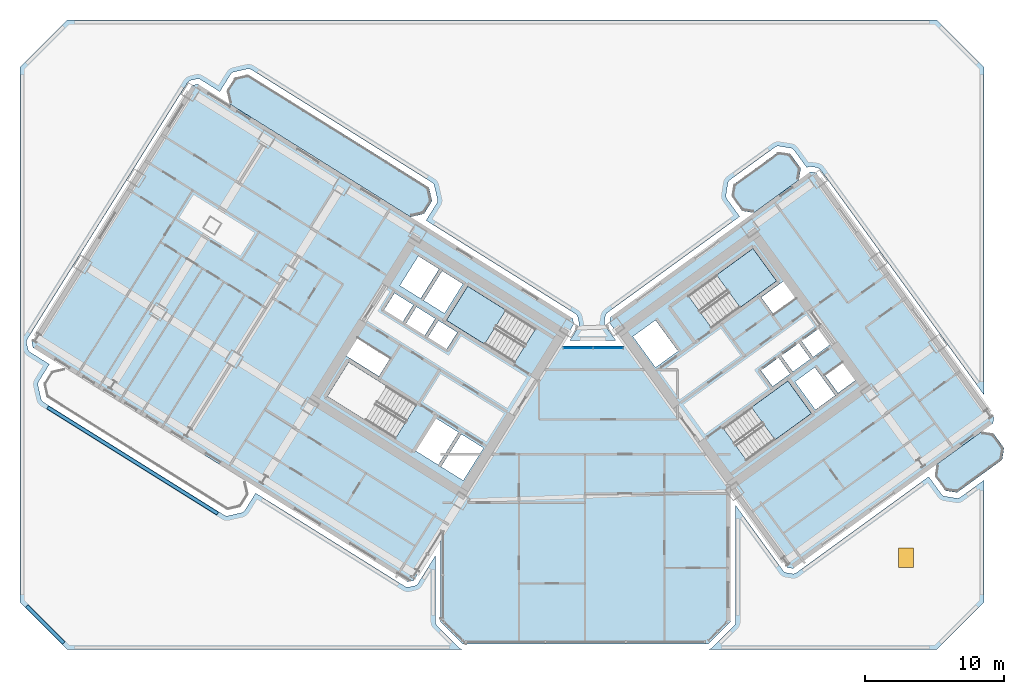
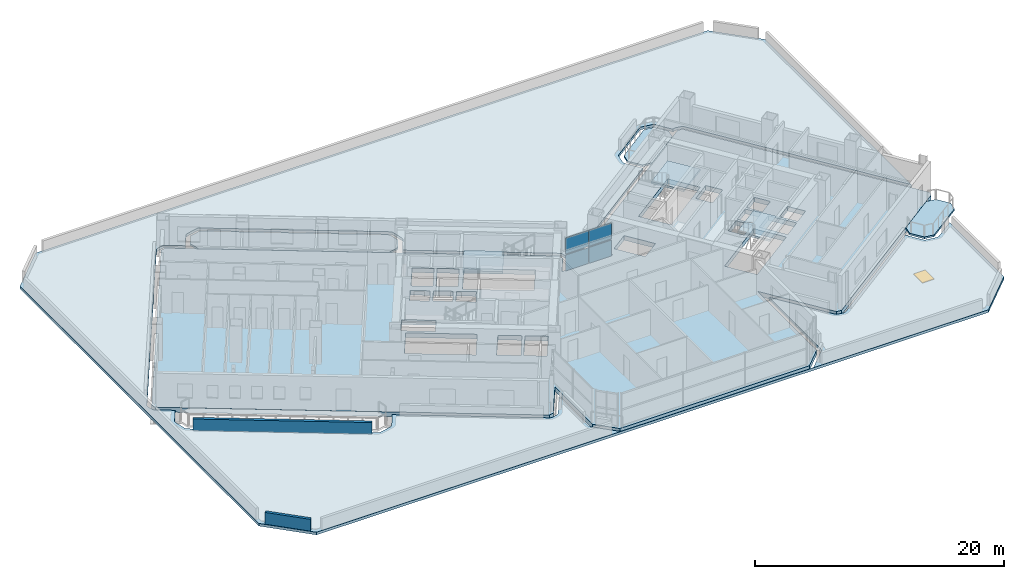
# One storey, part 14 of 28: 8 slabs, 4 plates, 2 walls, 1 door, 1 opening, 4 elements without a shape of their own.
"""IFC4 building model written with IfcOpenShell, lengths in metres."""

from ifc_helpers import new_model, si_unit, direction, frame, frame_2d, origin, origin_2d, place, context, subcontext, project, spatial, polyline, rectangle, outline, extrude, source, transform, mapped, material, layer, layer_set, type_object, element, fill, aggregate, save


model = new_model("IFC4")

# Units and contexts
model_context = context("Model", 3, precision=1e-05, world=origin(), true_north=direction((0.0, 1.0)))
body_context = subcontext(model_context, "Body", "Model", "MODEL_VIEW")
ifc_project = project(units=[si_unit("LENGTHUNIT", "METRE"), si_unit("AREAUNIT", "SQUARE_METRE"), si_unit("VOLUMEUNIT", "CUBIC_METRE"), si_unit("PLANEANGLEUNIT", "RADIAN"), si_unit("MASSUNIT", "GRAM", prefix="KILO")], contexts=[model_context])

# Site, building, storey
site_placement = place(None, origin())
site = spatial("IfcSite", under=ifc_project, at=site_placement, CompositionType="ELEMENT")
building_placement = place(site_placement, origin())
building = spatial("IfcBuilding", under=site, at=building_placement, Name="Tlacorven Tower", CompositionType="ELEMENT")
storey_placement = place(building_placement, frame((0.0, 0.0, 24.0)))
storey = spatial("IfcBuildingStorey", under=building, at=storey_placement, Name="L05", CompositionType="ELEMENT", Elevation=24.0)

# Slabs
ifc_material_1 = material(Name="Precast concrete C45/55", Category="concrete")
ifc_layer_1 = layer(ifc_material_1, 0.179931640625)
ifc_layer_set_1 = layer_set([ifc_layer_1], Name="Precast concrete C45/55")
slab_type_1 = type_object("IfcSlabType", Name="SL-BAL-180", PredefinedType="USERDEFINED", material=ifc_layer_set_1)
slab_1_placement = place(storey_placement, frame((0.0, 0.0, -0.179931640625)))
element("IfcSlab", 1, at=slab_1_placement, inside=storey, type_object=slab_type_1, Name="L05 West Wing Balcony Ribbon IN", ObjectType="BALCONY SLAB", PredefinedType="USERDEFINED", context=body_context, shape_type="SweptSolid", body=[
    extrude(outline(polyline([(30.756591796875, 34.57763671875), (17.781494140625, 42.685546875), (16.81689453125, 42.462890625), (16.236572265625, 41.5341796875), (16.459228515625, 40.569580078125), (29.434326171875, 32.4619140625), (30.39892578125, 32.6845703125), (30.979248046875, 33.613037109375), (30.756591796875, 34.57763671875)])), origin(), (0.0, 0.0, 1.0), 0.179931640625),
])
slab_2_placement = place(storey_placement, frame((0.0, 0.0, -0.179931640625)))
element("IfcSlab", 2, at=slab_2_placement, inside=storey, type_object=slab_type_1, Name="L05 East Wing Balcony Ribbon OUT", ObjectType="BALCONY SLAB", PredefinedType="USERDEFINED", context=body_context, shape_type="SweptSolid", body=[
    extrude(outline(polyline([(68.669921875, 12.678955078125), (71.906005859375, 15.0302734375), (72.03857421875, 15.8681640625), (71.27734375, 16.916015625), (70.439453125, 17.048583984375), (67.203369140625, 14.697509765625), (67.070556640625, 13.859375), (67.831787109375, 12.811767578125), (68.669921875, 12.678955078125)])), origin(), (0.0, 0.0, 1.0), 0.179931640625),
])
slab_3_placement = place(storey_placement, frame((0.0, 0.0, -0.179931640625)))
element("IfcSlab", 3, at=slab_3_placement, inside=storey, type_object=slab_type_1, Name="L05 East Wing Balcony Ribbon IN", ObjectType="BALCONY SLAB", PredefinedType="USERDEFINED", context=body_context, shape_type="SweptSolid", body=[
    extrude(outline(polyline([(54.078125, 32.762939453125), (57.314208984375, 35.114013671875), (57.44677734375, 35.9521484375), (56.685791015625, 36.999755859375), (55.84765625, 37.132568359375), (52.611572265625, 34.78125), (52.478759765625, 33.943359375), (53.239990234375, 32.8955078125), (54.078125, 32.762939453125)])), origin(), (0.0, 0.0, 1.0), 0.179931640625),
])

# Stair, slab
ifc_material_2 = material(Name="Concrete C40/50", Category="concrete")
stair_type = type_object("IfcStairType", Name="ST-CORE-DLG", PredefinedType="HALF_TURN_STAIR", material=ifc_material_2)
stair_1_placement = place(storey_placement, origin())
stair_1 = element("IfcStair", 4, at=stair_1_placement, inside=storey, type_object=stair_type, Name="L05 Protected Exit Stair West 2", PredefinedType="HALF_TURN_STAIR")
ifc_layer_2 = layer(ifc_material_2, 0.199951171875)
ifc_layer_set_2 = layer_set([ifc_layer_2], Name="Concrete C40/50")
slab_type_2 = type_object("IfcSlabType", Name="SL-LND-200", PredefinedType="LANDING", material=ifc_layer_set_2)
slab_4_placement = place(storey_placement, frame((0.0, 0.0, 1.60009765625)))
slab_4 = element("IfcSlab", 5, at=slab_4_placement, type_object=slab_type_2, Name="ST-W2 landing 1", PredefinedType="LANDING", context=body_context, shape_type="SweptSolid", body=[
    extrude(outline(polyline([(36.280029296875, 25.772705078125), (33.540771484375, 27.484375), (32.0146484375, 25.0419921875), (34.75390625, 23.33056640625), (36.280029296875, 25.772705078125)])), origin(), (0.0, 0.0, 1.0), 0.199951171875),
])
aggregate(stair_1, [slab_4])

stair_2_placement = place(storey_placement, origin())
stair_2 = element("IfcStair", 6, at=stair_2_placement, inside=storey, type_object=stair_type, Name="L05 Protected Exit Stair East 1", PredefinedType="HALF_TURN_STAIR")
slab_5_placement = place(storey_placement, frame((0.0, 0.0, 1.60009765625)))
slab_5 = element("IfcSlab", 7, at=slab_5_placement, type_object=slab_type_2, Name="ST-E1 landing 1", PredefinedType="LANDING", context=body_context, shape_type="SweptSolid", body=[
    extrude(outline(polyline([(53.09765625, 25.962890625), (55.7109375, 27.861572265625), (54.01806640625, 30.19140625), (51.40478515625, 28.29296875), (53.09765625, 25.962890625)])), origin(), (0.0, 0.0, 1.0), 0.199951171875),
])
aggregate(stair_2, [slab_5])

stair_3_placement = place(storey_placement, origin())
stair_3 = element("IfcStair", 8, at=stair_3_placement, inside=storey, type_object=stair_type, Name="L05 Protected Exit Stair East 2", PredefinedType="HALF_TURN_STAIR")
slab_6_placement = place(storey_placement, frame((0.0, 0.0, 1.60009765625)))
slab_6 = element("IfcSlab", 9, at=slab_6_placement, type_object=slab_type_2, Name="ST-E2 landing 1", PredefinedType="LANDING", context=body_context, shape_type="SweptSolid", body=[
    extrude(outline(polyline([(55.601806640625, 16.4599609375), (58.21484375, 18.3583984375), (56.52197265625, 20.6884765625), (53.908935546875, 18.789794921875), (55.601806640625, 16.4599609375)])), origin(), (0.0, 0.0, 1.0), 0.199951171875),
])
aggregate(stair_3, [slab_6])

# Slab, opening, door
ifc_layer_3 = layer(ifc_material_2, 0.260009765625)
ifc_layer_set_3 = layer_set([ifc_layer_3], Name="Concrete C40/50")
slab_type_3 = type_object("IfcSlabType", Name="SL-ROF-260", PredefinedType="ROOF", material=ifc_layer_set_3)
slab_7_placement = place(storey_placement, frame((0.0, 0.0, -0.260009765625)))
slab_7 = element("IfcSlab", 10, at=slab_7_placement, inside=storey, type_object=slab_type_3, Name="L05 Podium Setback Roof Slab 1", PredefinedType="ROOF", context=body_context, shape_type="SweptSolid", body=[
    extrude(outline(polyline([(70.60009765625, 4.800048828125), (67.199951171875, 1.39990234375), (4.800048828125, 1.39990234375), (1.39990234375, 4.800048828125), (1.39990234375, 43.199951171875), (4.800048828125, 46.60009765625), (67.199951171875, 46.60009765625), (70.60009765625, 43.199951171875), (70.60009765625, 19.685791015625), (58.8525390625, 35.854736328125), (58.8291015625, 35.8837890625), (58.802978515625, 35.910400390625), (58.7744140625, 35.934326171875), (58.74365234375, 35.955322265625), (58.7109375, 35.973388671875), (58.6767578125, 35.98779296875), (58.64111328125, 35.9990234375), (58.6044921875, 36.006591796875), (58.185546875, 36.072998046875), (58.1484375, 36.0771484375), (58.111083984375, 36.077392578125), (58.073974609375, 36.07421875), (58.037353515625, 36.067138671875), (58.00146484375, 36.056884765625), (57.967041015625, 36.04296875), (57.933837890625, 36.025634765625), (57.90283203125, 36.005126953125), (57.886474609375, 35.993408203125), (56.969482421875, 37.25537109375), (56.9462890625, 37.28466796875), (56.920166015625, 37.311279296875), (56.8916015625, 37.335205078125), (56.860595703125, 37.356201171875), (56.827880859375, 37.3740234375), (56.793701171875, 37.388671875), (56.758056640625, 37.39990234375), (56.7216796875, 37.407470703125), (55.883544921875, 37.540283203125), (55.846435546875, 37.544189453125), (55.80908203125, 37.544677734375), (55.77197265625, 37.541259765625), (55.7353515625, 37.534423828125), (55.699462890625, 37.52392578125), (55.6650390625, 37.510009765625), (55.6318359375, 37.49267578125), (55.600830078125, 37.472412109375), (52.36474609375, 35.12109375), (52.335693359375, 35.097900390625), (52.30908203125, 35.07177734375), (52.284912109375, 35.04296875), (52.263916015625, 35.01220703125), (52.24609375, 34.9794921875), (52.2314453125, 34.9453125), (52.22021484375, 34.90966796875), (52.212646484375, 34.873291015625), (52.079833984375, 34.03515625), (52.075927734375, 33.998046875), (52.07568359375, 33.960693359375), (52.078857421875, 33.923583984375), (52.085693359375, 33.886962890625), (52.09619140625, 33.85107421875), (52.110107421875, 33.816650390625), (52.12744140625, 33.783447265625), (52.14794921875, 33.752197265625), (53.064697265625, 32.490234375), (43.56689453125, 25.589599609375), (43.537841796875, 25.566162109375), (43.51123046875, 25.5400390625), (43.4873046875, 25.511474609375), (43.46630859375, 25.480712890625), (43.448486328125, 25.447998046875), (43.433837890625, 25.413818359375), (43.422607421875, 25.378173828125), (43.4150390625, 25.341552734375), (43.3486328125, 24.922607421875), (43.344482421875, 24.885498046875), (43.34423828125, 24.84814453125), (43.347412109375, 24.81103515625), (43.3544921875, 24.7744140625), (43.364990234375, 24.73876953125), (43.37890625, 24.7041015625), (43.39599609375, 24.6708984375), (43.41650390625, 24.639892578125), (44.1865234375, 23.580078125), (40.864501953125, 23.580078125), (41.484619140625, 24.572265625), (41.5029296875, 24.60498046875), (41.517822265625, 24.63916015625), (41.529296875, 24.674560546875), (41.537109375, 24.7109375), (41.54150390625, 24.748046875), (41.542236328125, 24.785400390625), (41.539306640625, 24.822509765625), (41.53271484375, 24.859130859375), (41.437255859375, 25.2724609375), (41.427001953125, 25.308349609375), (41.413330078125, 25.34326171875), (41.396484375, 25.37646484375), (41.376220703125, 25.40771484375), (41.353271484375, 25.43701171875), (41.327392578125, 25.4638671875), (41.299072265625, 25.488037109375), (41.268310546875, 25.50927734375), (30.549072265625, 32.20751953125), (31.32275390625, 33.44580078125), (31.3408203125, 33.478271484375), (31.355712890625, 33.512451171875), (31.3671875, 33.5478515625), (31.375244140625, 33.584228515625), (31.379638671875, 33.621337890625), (31.38037109375, 33.65869140625), (31.377197265625, 33.69580078125), (31.37060546875, 33.732421875), (31.14794921875, 34.697021484375), (31.137939453125, 34.73291015625), (31.124267578125, 34.767578125), (31.107177734375, 34.801025390625), (31.087158203125, 34.832275390625), (31.06396484375, 34.861572265625), (31.0380859375, 34.888427734375), (31.009765625, 34.91259765625), (30.97900390625, 34.933837890625), (18.00390625, 43.041748046875), (17.971435546875, 43.059814453125), (17.937255859375, 43.07470703125), (17.90185546875, 43.086181640625), (17.865234375, 43.09423828125), (17.828369140625, 43.0986328125), (17.791015625, 43.09912109375), (17.75390625, 43.09619140625), (17.717041015625, 43.089599609375), (16.75244140625, 42.866943359375), (16.716552734375, 42.856689453125), (16.681884765625, 42.84326171875), (16.648681640625, 42.826171875), (16.617431640625, 42.80615234375), (16.588134765625, 42.782958984375), (16.561279296875, 42.757080078125), (16.537109375, 42.728759765625), (16.515869140625, 42.697998046875), (15.7421875, 41.4599609375), (14.3681640625, 42.318359375), (14.335693359375, 42.336669921875), (14.301513671875, 42.3515625), (14.26611328125, 42.363037109375), (14.2294921875, 42.370849609375), (14.192626953125, 42.375244140625), (14.1552734375, 42.3759765625), (14.1181640625, 42.373046875), (14.081298828125, 42.366455078125), (13.66796875, 42.27099609375), (13.632080078125, 42.2607421875), (13.597412109375, 42.2470703125), (13.564208984375, 42.230224609375), (13.53271484375, 42.2099609375), (13.503662109375, 42.18701171875), (13.476806640625, 42.1611328125), (13.45263671875, 42.132568359375), (13.43115234375, 42.10205078125), (1.92138671875, 23.682373046875), (1.9033203125, 23.64990234375), (1.88818359375, 23.61572265625), (1.876708984375, 23.580322265625), (1.868896484375, 23.543701171875), (1.864501953125, 23.5068359375), (1.86376953125, 23.469482421875), (1.86669921875, 23.432373046875), (1.873291015625, 23.3955078125), (1.96875, 22.982177734375), (1.97900390625, 22.9462890625), (1.99267578125, 22.91162109375), (2.009521484375, 22.87841796875), (2.02978515625, 22.846923828125), (2.052734375, 22.81787109375), (2.07861328125, 22.791015625), (2.107177734375, 22.766845703125), (2.1376953125, 22.745361328125), (3.511474609375, 21.886962890625), (2.73779296875, 20.64892578125), (2.7197265625, 20.6162109375), (2.704833984375, 20.58203125), (2.693359375, 20.546630859375), (2.685302734375, 20.51025390625), (2.680908203125, 20.47314453125), (2.680419921875, 20.435791015625), (2.683349609375, 20.398681640625), (2.68994140625, 20.362060546875), (2.91259765625, 19.3974609375), (2.922607421875, 19.361572265625), (2.936279296875, 19.326904296875), (2.953369140625, 19.293701171875), (2.973388671875, 19.26220703125), (2.99658203125, 19.23291015625), (3.0224609375, 19.2060546875), (3.05078125, 19.181884765625), (3.08154296875, 19.16064453125), (16.056640625, 11.052734375), (16.089111328125, 11.03466796875), (16.123291015625, 11.019775390625), (16.15869140625, 11.00830078125), (16.1953125, 11.000244140625), (16.232177734375, 10.99609375), (16.26953125, 10.995361328125), (16.306640625, 10.998291015625), (16.343505859375, 11.0048828125), (17.30810546875, 11.2275390625), (17.343994140625, 11.23779296875), (17.378662109375, 11.251220703125), (17.411865234375, 11.268310546875), (17.443115234375, 11.288330078125), (17.472412109375, 11.3115234375), (17.499267578125, 11.33740234375), (17.5234375, 11.36572265625), (17.544677734375, 11.396484375), (18.318359375, 12.634521484375), (29.037841796875, 5.936279296875), (29.0703125, 5.918212890625), (29.1044921875, 5.9033203125), (29.14013671875, 5.891845703125), (29.176513671875, 5.8837890625), (29.21337890625, 5.879638671875), (29.250732421875, 5.87890625), (29.287841796875, 5.8818359375), (29.32470703125, 5.888427734375), (29.738037109375, 5.98388671875), (29.77392578125, 5.993896484375), (29.80859375, 6.007568359375), (29.841796875, 6.024658203125), (29.873291015625, 6.044677734375), (29.902587890625, 6.06787109375), (29.929443359375, 6.09375), (29.95361328125, 6.1220703125), (29.974853515625, 6.15283203125), (31.219970703125, 8.1455078125), (31.219970703125, 3.39990234375), (31.221923828125, 3.36279296875), (31.227294921875, 3.325927734375), (31.236328125, 3.289794921875), (31.2490234375, 3.254638671875), (31.264892578125, 3.220947265625), (31.283935546875, 3.18896484375), (31.30615234375, 3.158935546875), (31.331298828125, 3.13134765625), (32.931396484375, 1.53125), (32.958984375, 1.50634765625), (32.98876953125, 1.484130859375), (33.020751953125, 1.46484375), (33.0546875, 1.448974609375), (33.089599609375, 1.436279296875), (33.1259765625, 1.42724609375), (33.162841796875, 1.421875), (33.199951171875, 1.419921875), (50.800048828125, 1.419921875), (50.837158203125, 1.421875), (50.8740234375, 1.42724609375), (50.910400390625, 1.436279296875), (50.9453125, 1.448974609375), (50.979248046875, 1.46484375), (51.01123046875, 1.484130859375), (51.041015625, 1.50634765625), (51.068603515625, 1.53125), (52.668701171875, 3.13134765625), (52.69384765625, 3.158935546875), (52.716064453125, 3.18896484375), (52.735107421875, 3.220947265625), (52.7509765625, 3.254638671875), (52.763671875, 3.289794921875), (52.772705078125, 3.325927734375), (52.778076171875, 3.36279296875), (52.780029296875, 3.39990234375), (52.780029296875, 11.751953125), (56.18310546875, 7.06787109375), (56.20654296875, 7.038818359375), (56.232666015625, 7.01220703125), (56.26123046875, 6.98828125), (56.2919921875, 6.96728515625), (56.32470703125, 6.949462890625), (56.359130859375, 6.934814453125), (56.394775390625, 6.923583984375), (56.43115234375, 6.916015625), (56.85009765625, 6.849609375), (56.88720703125, 6.845703125), (56.924560546875, 6.84521484375), (56.961669921875, 6.8486328125), (56.998291015625, 6.85546875), (57.0341796875, 6.865966796875), (57.06884765625, 6.8798828125), (57.101806640625, 6.897216796875), (57.133056640625, 6.91748046875), (66.630859375, 13.818115234375), (67.5478515625, 12.55615234375), (67.5712890625, 12.527099609375), (67.597412109375, 12.500244140625), (67.6259765625, 12.476318359375), (67.65673828125, 12.455322265625), (67.689453125, 12.4375), (67.7236328125, 12.4228515625), (67.75927734375, 12.41162109375), (67.7958984375, 12.404052734375), (68.6337890625, 12.271240234375), (68.6708984375, 12.267333984375), (68.708251953125, 12.266845703125), (68.745361328125, 12.270263671875), (68.781982421875, 12.277099609375), (68.81787109375, 12.28759765625), (68.8525390625, 12.301513671875), (68.885498046875, 12.31884765625), (68.916748046875, 12.33935546875), (70.60009765625, 13.562255859375), (70.60009765625, 4.800048828125)])), origin(), (0.0, 0.0, 1.0), 0.260009765625),
])
opening_placement = place(slab_7_placement, frame((65.0, 8.0, 0.0)))
opening = element("IfcOpeningElement", 11, at=opening_placement, cuts=slab_7, Name="Opening RH01", PredefinedType="OPENING", context=body_context, shape_type="SweptSolid", body=[
    extrude(rectangle(XDim=1.10009765625, YDim=1.39990234375, at=origin_2d()), frame((0.0, 0.0, -0.010009765625)), (0.0, 0.0, 1.0), 0.35009765625),
])
ifc_material_3 = material(Name="Fire-rated steel door assembly", Category="steel")
door_type = type_object("IfcDoorType", Name="DR-ROF-HTCH-1100", OperationType="SINGLE_SWING_LEFT", PredefinedType="TRAPDOOR", material=ifc_material_3)
door_placement = place(opening_placement, frame((0.0, 0.0, 0.260009765625)))
door = element("IfcDoor", 12, at=door_placement, inside=storey, type_object=door_type, Name="L05 Podium Roof Maintenance Access Hatch 1", OperationType="SINGLE_SWING_LEFT", OverallHeight=1.39990234375, OverallWidth=1.10009765625, PredefinedType="TRAPDOOR", context=body_context, shape_type="SweptSolid", body=[
    extrude(rectangle(XDim=1.10009765625, YDim=1.39990234375, at=origin_2d()), origin(), (0.0, 0.0, 1.0), 0.050048828125),
])
fill(opening, door)

# Slab
ifc_material_4 = material(Name="Concrete C50/60", Category="concrete")
ifc_layer_4 = layer(ifc_material_4, 0.449951171875)
ifc_layer_set_4 = layer_set([ifc_layer_4], Name="Concrete C50/60")
slab_type_4 = type_object("IfcSlabType", Name="SL-TRF-450", PredefinedType="FLOOR", material=ifc_layer_set_4)
slab_8_placement = place(storey_placement, frame((0.0, 0.0, -0.449951171875)))
element("IfcSlab", 13, at=slab_8_placement, inside=storey, type_object=slab_type_4, Name="L05 Boomerang Tower Floor Slab", PredefinedType="FLOOR", context=body_context, shape_type="SweptSolid", body=[
    extrude(outline(polyline([(52.39990234375, 3.39990234375), (50.800048828125, 1.800048828125), (33.199951171875, 1.800048828125), (31.60009765625, 3.39990234375), (31.60009765625, 9.470703125), (29.652587890625, 6.35400390625), (29.2392578125, 6.258544921875), (2.339111328125, 23.067626953125), (2.24365234375, 23.481201171875), (13.75341796875, 41.900634765625), (14.1669921875, 41.99609375), (41.06689453125, 25.18701171875), (41.162353515625, 24.773681640625), (40.178955078125, 23.199951171875), (44.932373046875, 23.199951171875), (43.723876953125, 24.86328125), (43.790283203125, 25.2822265625), (58.1259765625, 35.69775390625), (58.545166015625, 35.63134765625), (71.311767578125, 18.0595703125), (71.245361328125, 17.640380859375), (56.90966796875, 7.224853515625), (56.49072265625, 7.291259765625), (52.39990234375, 12.921630859375), (52.39990234375, 3.39990234375)]), holes=[polyline([(29.865478515625, 18.979736328125), (24.9892578125, 22.02685546875), (23.463134765625, 19.58447265625), (28.33935546875, 16.537353515625), (29.865478515625, 18.979736328125)]), polyline([(38.4169921875, 24.4375), (33.540771484375, 27.484375), (32.0146484375, 25.0419921875), (36.890869140625, 21.9951171875), (38.4169921875, 24.4375)]), polyline([(51.05908203125, 24.481689453125), (55.7109375, 27.861572265625), (54.01806640625, 30.19140625), (49.3662109375, 26.811767578125), (51.05908203125, 24.481689453125)]), polyline([(53.56298828125, 14.978759765625), (58.21484375, 18.3583984375), (56.52197265625, 20.6884765625), (51.8701171875, 17.30859375), (53.56298828125, 14.978759765625)]), polyline([(34.682373046875, 15.87548828125), (33.088134765625, 16.871826171875), (31.62548828125, 14.531005859375), (33.2197265625, 13.534912109375), (34.682373046875, 15.87548828125)]), polyline([(32.884521484375, 16.9990234375), (31.2392578125, 18.02685546875), (29.77685546875, 15.686279296875), (31.421875, 14.658203125), (32.884521484375, 16.9990234375)]), polyline([(47.0234375, 21.648681640625), (48.6416015625, 22.82421875), (47.019287109375, 25.05712890625), (45.401123046875, 23.881591796875), (47.0234375, 21.648681640625)]), polyline([(33.197265625, 27.65185546875), (31.704833984375, 28.58447265625), (30.3798828125, 26.46435546875), (31.87255859375, 25.53173828125), (33.197265625, 27.65185546875)]), polyline([(31.484375, 28.722412109375), (29.99169921875, 29.655029296875), (28.6669921875, 27.534912109375), (30.159423828125, 26.602294921875), (31.484375, 28.722412109375)]), polyline([(32.794921875, 24.17724609375), (31.43798828125, 25.025146484375), (30.685546875, 23.82080078125), (32.042236328125, 22.972900390625), (32.794921875, 24.17724609375)]), polyline([(31.217529296875, 25.162841796875), (29.860595703125, 26.0107421875), (29.108154296875, 24.806396484375), (30.465087890625, 23.958740234375), (31.217529296875, 25.162841796875)]), polyline([(29.64013671875, 26.1484375), (28.283203125, 26.996337890625), (27.53076171875, 25.792236328125), (28.8876953125, 24.9443359375), (29.64013671875, 26.1484375)]), polyline([(55.427734375, 20.288818359375), (56.68994140625, 21.205810546875), (55.855224609375, 22.354736328125), (54.59326171875, 21.437744140625), (55.427734375, 20.288818359375)]), polyline([(56.884033203125, 21.346923828125), (58.146240234375, 22.263916015625), (57.3115234375, 23.41259765625), (56.04931640625, 22.495849609375), (56.884033203125, 21.346923828125)]), polyline([(58.34033203125, 22.405029296875), (59.602294921875, 23.322021484375), (58.767578125, 24.470703125), (57.505615234375, 23.5537109375), (58.34033203125, 22.405029296875)]), polyline([(58.498779296875, 18.614013671875), (59.922607421875, 19.648681640625), (58.453125, 21.671142578125), (57.029296875, 20.63671875), (58.498779296875, 18.614013671875)]), polyline([(27.96142578125, 22.2919921875), (25.603759765625, 23.76513671875), (24.80908203125, 22.4931640625), (27.16650390625, 21.02001953125), (27.96142578125, 22.2919921875)]), polyline([(55.490478515625, 25.4765625), (57.092529296875, 26.640380859375), (56.210693359375, 27.85400390625), (54.60888671875, 26.690185546875), (55.490478515625, 25.4765625)]), polyline([(60.12109375, 19.817626953125), (61.38330078125, 20.734619140625), (60.45458984375, 22.012939453125), (59.192626953125, 21.095947265625), (60.12109375, 19.817626953125)])]), origin(), (0.0, 0.0, 1.0), 0.449951171875),
])

# Curtain wall, plates
ifc_material_5 = material(Name="Dark solar low-E double glazing in aluminium frame", Category="aluminium")
curtain_wall_type = type_object("IfcCurtainWallType", Name="CW-TWR-LOW", PredefinedType="USERDEFINED", material=ifc_material_5)
curtain_wall_placement = place(storey_placement, origin())
curtain_wall = element("IfcCurtainWall", 14, at=curtain_wall_placement, inside=storey, type_object=curtain_wall_type, Name="L05 CW-TWR-LOW Curtain Wall 26", ObjectType="UNITISED CURTAIN WALL", PredefinedType="USERDEFINED")
ifc_material_6 = material(Name="Dark solar double low-E glazing", Category="glass")
ifc_layer_5 = layer(ifc_material_6, 0.031982421875)
ifc_layer_set_5 = layer_set([ifc_layer_5], Name="Dark solar double low-E glazing")
plate_type = type_object("IfcPlateType", Name="CWP-02", PredefinedType="CURTAIN_PANEL", material=ifc_layer_set_5)
shared_shape = source(origin(), body_context, "Body", "SweptSolid", [
    extrude(rectangle(XDim=2.110595703125, YDim=0.031982421875, at=origin_2d()), origin(), (0.0, 0.0, 1.0), 1.552978515625),
])
plate_1_placement = place(storey_placement, frame((41.47802734375, 23.0400390625, 0.06103515625), z_axis=(0.0, 0.0, 1.0), x_axis=(1.0, 0.0, 0.0)))
plate_1 = element("IfcPlate", 15, at=plate_1_placement, type_object=plate_type, Name="CW-L05-026 Glazing Panel 1", PredefinedType="CURTAIN_PANEL", context=body_context, shape_type="MappedRepresentation", body=[
    mapped(shared_shape, transform((0.0, 0.0, 0.0), scale=1.0)),
])
plate_2_placement = place(storey_placement, frame((41.47802734375, 23.0400390625, 1.73583984375), z_axis=(0.0, 0.0, 1.0), x_axis=(1.0, 0.0, 0.0)))
plate_2 = element("IfcPlate", 16, at=plate_2_placement, type_object=plate_type, Name="CW-L05-026 Glazing Panel 2", PredefinedType="CURTAIN_PANEL", context=body_context, shape_type="MappedRepresentation", body=[
    mapped(shared_shape, transform((0.0, 0.0, 0.0), scale=1.0)),
])
plate_3_placement = place(storey_placement, frame((43.640625, 23.0400390625, 0.06103515625), z_axis=(0.0, 0.0, 1.0), x_axis=(1.0, 0.0, 0.0)))
plate_3 = element("IfcPlate", 17, at=plate_3_placement, type_object=plate_type, Name="CW-L05-026 Glazing Panel 3", PredefinedType="CURTAIN_PANEL", context=body_context, shape_type="MappedRepresentation", body=[
    mapped(shared_shape, transform((0.0, 0.0, 0.0), scale=1.0)),
])
plate_4_placement = place(storey_placement, frame((43.640625, 23.0400390625, 1.73583984375), z_axis=(0.0, 0.0, 1.0), x_axis=(1.0, 0.0, 0.0)))
plate_4 = element("IfcPlate", 18, at=plate_4_placement, type_object=plate_type, Name="CW-L05-026 Glazing Panel 4", PredefinedType="CURTAIN_PANEL", context=body_context, shape_type="MappedRepresentation", body=[
    mapped(shared_shape, transform((0.0, 0.0, 0.0), scale=1.0)),
])
aggregate(curtain_wall, [plate_1, plate_2, plate_3, plate_4])

# Walls
ifc_layer_6 = layer(ifc_material_1, 0.239990234375)
ifc_layer_set_6 = layer_set([ifc_layer_6], Name="Precast concrete C45/55")
wall_type = type_object("IfcWallType", Name="WL-PAR-240", PredefinedType="PARAPET", material=ifc_layer_set_6)
wall_1_placement = place(storey_placement, frame((4.536865234375, 1.875244140625, 0.0), z_axis=(0.0, 0.0, 1.0), x_axis=(-0.707106781187, 0.707106781187, 0.0)))
element("IfcWall", 19, at=wall_1_placement, inside=storey, type_object=wall_type, Name="L05 Podium Setback Parapet 1 2", PredefinedType="PARAPET", context=body_context, shape_type="SweptSolid", body=[
    extrude(rectangle(XDim=3.76416015625, YDim=0.239990234375, at=frame_2d((1.882080078125, 0.0))), origin(), (0.0, 0.0, 1.0), 1.14990234375),
])
wall_2_placement = place(storey_placement, frame((3.388916015625, 18.79150390625, 0.0), z_axis=(0.0, 0.0, 1.0), x_axis=(0.848051685884, -0.529913519425, 0.0)))
element("IfcWall", 20, at=wall_2_placement, inside=storey, type_object=wall_type, Name="L05 Podium Setback Parapet 1 15", PredefinedType="PARAPET", context=body_context, shape_type="SweptSolid", body=[
    extrude(rectangle(XDim=14.38720703125, YDim=0.239990234375, at=frame_2d((7.193603515625, 0.0))), origin(), (0.0, 0.0, 1.0), 1.14990234375),
])

save(model, "model.ifc")
